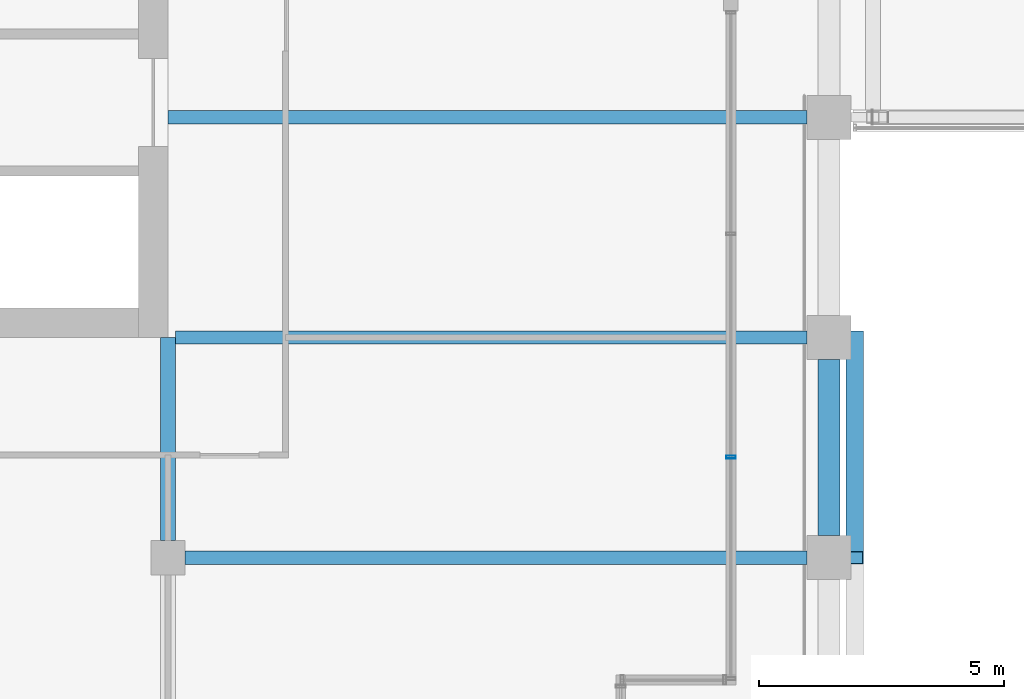
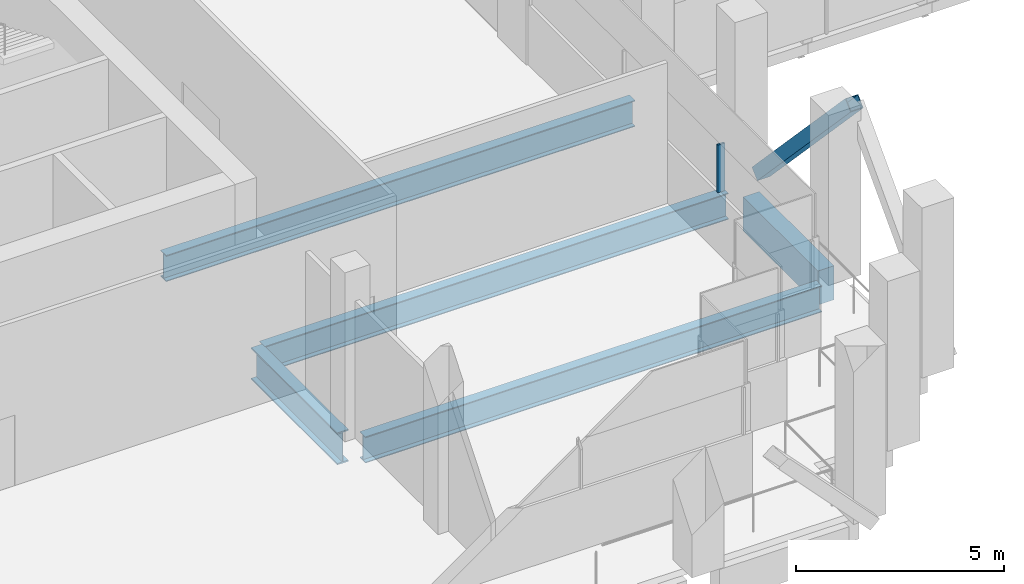
# One storey, part 9 of 34: 5 beams, 2 members, 1 element without a shape of its own.
"""IFC4 building model written with IfcOpenShell, lengths in metres."""

from ifc_helpers import new_model, si_unit, direction, frame, origin, origin_2d, place, context, subcontext, project, spatial, rectangle, hollow_rectangle, i_section, extrude, material, material_profile, profile_set, type_object, element, aggregate, save


model = new_model("IFC4")

# Units and contexts
model_context = context("Model", 3, precision=1e-05, world=origin(), true_north=direction((0.0, 1.0)))
body_context = subcontext(model_context, "Body", "Model", "MODEL_VIEW")
ifc_project = project(units=[si_unit("LENGTHUNIT", "METRE"), si_unit("AREAUNIT", "SQUARE_METRE"), si_unit("VOLUMEUNIT", "CUBIC_METRE"), si_unit("PLANEANGLEUNIT", "RADIAN"), si_unit("MASSUNIT", "GRAM", prefix="KILO")], contexts=[model_context])

# Site, building, storey
site_placement = place(None, origin())
site = spatial("IfcSite", under=ifc_project, at=site_placement, CompositionType="ELEMENT")
building_placement = place(site_placement, origin())
building = spatial("IfcBuilding", under=site, at=building_placement, Name="Altepetl Exchange Towers", CompositionType="ELEMENT")
storey_placement = place(building_placement, frame((0.0, 0.0, 190.60009765625)))
storey = spatial("IfcBuildingStorey", under=building, at=storey_placement, Name="L48 Refuge", CompositionType="ELEMENT", Elevation=190.60009765625)

# Member
ifc_material_1 = material(Name="Steel S355", Category="steel")
ifc_material_profile_1 = material_profile(ifc_material_1, hollow_rectangle(XDim=0.35595703125, YDim=0.35595703125, WallThickness=0.014892578125, at=origin_2d()), Name="HSS356X356X15.9")
ifc_profile_set_1 = profile_set([ifc_material_profile_1], Name="Steel S355")
member_type_1 = type_object("IfcMemberType", Name="Belt diagonal HSS356X356X15.9", PredefinedType="BRACE", material=ifc_profile_set_1)
member_1_placement = place(storey_placement, frame((72.530029296875, 36.0, 4.75), z_axis=(0.0, 0.687744647911, -0.725952683906), x_axis=(-1.0, 0.0, 0.0)))
element("IfcMember", 1, at=member_1_placement, inside=storey, type_object=member_type_1, Name="brc:A:L48:009", PredefinedType="BRACE", context=body_context, shape_type="SweptSolid", body=[
    extrude(hollow_rectangle(XDim=0.35595703125, YDim=0.35595703125, WallThickness=0.014892578125, at=origin_2d()), origin(), (0.0, 0.0, 1.0), 6.543212890625),
])

# Beams
ifc_material_profile_2 = material_profile(ifc_material_1, i_section(OverallWidth=0.26806640625, OverallDepth=0.77392578125, WebThickness=0.015380859375, FlangeThickness=0.025390625, at=origin_2d()), Name="W30X132")
ifc_profile_set_2 = profile_set([ifc_material_profile_2], Name="Steel S355")
beam_type_1 = type_object("IfcBeamType", Name="Floor beam W30X132", PredefinedType="BEAM", material=ifc_profile_set_2)
beam_1_placement = place(storey_placement, frame((58.85009765625, 36.0, -0.587158203125), z_axis=(1.0, 0.0, 0.0), x_axis=(0.0, 1.0, 0.0)))
element("IfcBeam", 2, at=beam_1_placement, inside=storey, type_object=beam_type_1, Name="bm:A:L48:007", PredefinedType="BEAM", context=body_context, shape_type="SweptSolid", body=[
    extrude(i_section(OverallWidth=0.26806640625, OverallDepth=0.77392578125, WebThickness=0.015380859375, FlangeThickness=0.025390625, at=origin_2d()), origin(), (0.0, 0.0, 1.0), 12.699951171875),
])
beam_2_placement = place(storey_placement, frame((58.654052734375, 40.5, -0.587158203125), z_axis=(1.0, 0.0, 0.0), x_axis=(0.0, 1.0, 0.0)))
element("IfcBeam", 3, at=beam_2_placement, inside=storey, type_object=beam_type_1, Name="bm:A:L48:008", PredefinedType="BEAM", context=body_context, shape_type="SweptSolid", body=[
    extrude(i_section(OverallWidth=0.26806640625, OverallDepth=0.77392578125, WebThickness=0.015380859375, FlangeThickness=0.025390625, at=origin_2d()), origin(), (0.0, 0.0, 1.0), 12.89599609375),
])
beam_3_placement = place(storey_placement, frame((58.5, 45.0, -0.587158203125), z_axis=(1.0, 0.0, 0.0), x_axis=(0.0, 1.0, 0.0)))
element("IfcBeam", 4, at=beam_3_placement, inside=storey, type_object=beam_type_1, Name="bm:A:L48:009", PredefinedType="BEAM", context=body_context, shape_type="SweptSolid", body=[
    extrude(i_section(OverallWidth=0.26806640625, OverallDepth=0.77392578125, WebThickness=0.015380859375, FlangeThickness=0.025390625, at=origin_2d()), origin(), (0.0, 0.0, 1.0), 13.050048828125),
])
ifc_material_profile_3 = material_profile(ifc_material_1, i_section(OverallWidth=0.30810546875, OverallDepth=0.943115234375, WebThickness=0.022216796875, FlangeThickness=0.039794921875, at=origin_2d()), Name="W36X232")
ifc_profile_set_3 = profile_set([ifc_material_profile_3], Name="Steel S355")
beam_type_2 = type_object("IfcBeamType", Name="Girder W36X232", PredefinedType="BEAM", material=ifc_profile_set_3)
beam_4_placement = place(storey_placement, frame((58.5, 40.5, -0.671630859375), z_axis=(0.0, -1.0, 0.0), x_axis=(1.0, 0.0, 0.0)))
element("IfcBeam", 5, at=beam_4_placement, inside=storey, type_object=beam_type_2, Name="gd:A:L48:003", PredefinedType="BEAM", context=body_context, shape_type="SweptSolid", body=[
    extrude(i_section(OverallWidth=0.30810546875, OverallDepth=0.943115234375, WebThickness=0.022216796875, FlangeThickness=0.039794921875, at=origin_2d()), origin(), (0.0, 0.0, 1.0), 4.14990234375),
])

# Curtain wall, member
ifc_material_2 = material(Name="Aluminium 6063-T6 glazing", Category="aluminium")
curtain_wall_type = type_object("IfcCurtainWallType", Name="Refuge slit glazing system", PredefinedType="NOTDEFINED", material=ifc_material_2)
curtain_wall_placement = place(storey_placement, origin())
curtain_wall = element("IfcCurtainWall", 6, at=curtain_wall_placement, inside=storey, type_object=curtain_wall_type, Name="CW3 run", PredefinedType="NOTDEFINED")
ifc_material_3 = material(Name="Aluminium 6063-T6", Category="aluminium")
ifc_material_profile_4 = material_profile(ifc_material_3, hollow_rectangle(XDim=0.06005859375, YDim=0.199951171875, WallThickness=0.0029296875, at=origin_2d()), Name="Mullion 60x200 aluminium")
ifc_profile_set_4 = profile_set([ifc_material_profile_4], Name="Aluminium 6063-T6")
member_type_2 = type_object("IfcMemberType", Name="Mullion 60x200 aluminium", PredefinedType="MULLION", material=ifc_profile_set_4)
member_2_placement = place(storey_placement, frame((70.0, 38.05712890625, 1.7998046875), z_axis=(0.0, 0.0, 1.0), x_axis=(0.0, 1.0, 0.0)))
member_2 = element("IfcMember", 7, at=member_2_placement, type_object=member_type_2, Name="MU2 mullion", PredefinedType="MULLION", context=body_context, shape_type="SweptSolid", body=[
    extrude(hollow_rectangle(XDim=0.06005859375, YDim=0.199951171875, WallThickness=0.0029296875, at=origin_2d()), origin(), (0.0, 0.0, 1.0), 1.400146484375),
])
aggregate(curtain_wall, [member_2])

# Beam
ifc_material_4 = material(Name="Concrete C50/60 precast with cantera amarilla facing", Category="concrete")
ifc_material_profile_5 = material_profile(ifc_material_4, rectangle(XDim=0.449951171875, YDim=1.0, at=origin_2d()), Name="450 x 1000")
ifc_profile_set_5 = profile_set([ifc_material_profile_5], Name="Concrete C50/60 precast with cantera amarilla facing")
beam_type_3 = type_object("IfcBeamType", Name="Spandrel beam 450x1000 cantera amarilla", PredefinedType="SPANDREL", material=ifc_profile_set_5)
beam_5_placement = place(storey_placement, frame((72.0, 36.449951171875, -0.7001953125), z_axis=(0.0, 1.0, 0.0), x_axis=(-1.0, 0.0, 0.0)))
element("IfcBeam", 8, at=beam_5_placement, inside=storey, type_object=beam_type_3, Name="sp:A:L48:013", PredefinedType="SPANDREL", context=body_context, shape_type="SweptSolid", body=[
    extrude(rectangle(XDim=0.449951171875, YDim=1.0, at=origin_2d()), origin(), (0.0, 0.0, 1.0), 3.60009765625),
])

save(model, "model.ifc")
